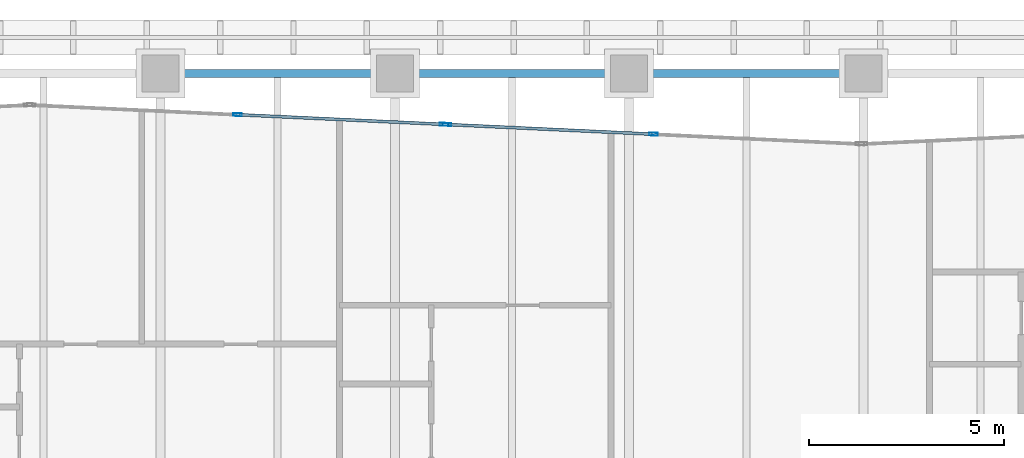
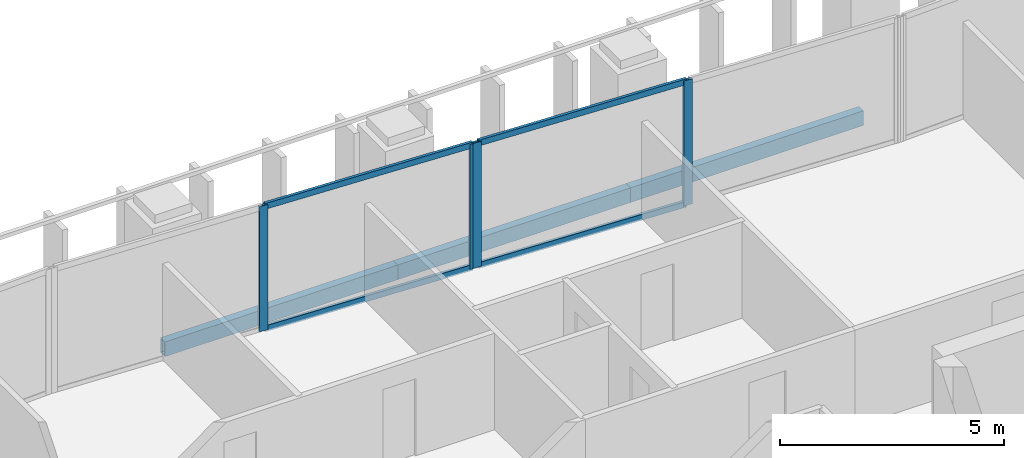
# One storey, part 18 of 39: 8 members, 3 beams, 2 elements without a shape of their own.
"""IFC4 building model written with IfcOpenShell, lengths in metres."""

import ifcopenshell
import ifcopenshell.guid

model = None  # the IFC model being written
_history = None  # IfcOwnerHistory: only IFC2X3 demands one
_inside = {}  # id of a spatial element -> (the spatial element, [elements in it])
_under = {}  # id of a project, library or spatial element -> (it, [spatial elements below it])
_declared = {}  # id of a project -> (the project, [libraries it declares])
_typed = {}  # id of a type object -> (the type object, [elements of that type])
_made_of = {}  # id of a material, layer set ... -> (it, [elements and type objects made of it])


def new_model(schema):
    """Start an empty IFC model of exactly this schema.

    Asked for "IFC4X3", IfcOpenShell would pick the latest addendum, in which some entities
    have other attributes; the version numbers below select the first issue.
    IFC2X3 requires an IfcOwnerHistory on every rooted entity: one is made here for all.
    """
    global model, _history
    if schema == "IFC4X3":
        model = ifcopenshell.file(schema_version=(4, 3, 0, 0))
    else:
        model = ifcopenshell.file(schema=schema)
    _inside.clear()
    _under.clear()
    _declared.clear()
    _typed.clear()
    _made_of.clear()
    _history = None
    if model.schema == "IFC2X3":
        org = make("IfcOrganization", Name="unknown")
        user = make(
            "IfcPersonAndOrganization",
            ThePerson=make("IfcPerson", FamilyName="unknown"),
            TheOrganization=org,
        )
        app = make(
            "IfcApplication",
            ApplicationDeveloper=org,
            Version="unknown",
            ApplicationFullName="unknown",
            ApplicationIdentifier="unknown",
        )
        _history = make(
            "IfcOwnerHistory",
            OwningUser=user,
            OwningApplication=app,
            ChangeAction="ADDED",
            CreationDate=0,
        )
    return model


def make(cls, **values):
    """One entity of the class cls with the attributes given. An attribute that is None is left unset."""
    return model.create_entity(
        cls, **{name: value for name, value in values.items() if value is not None}
    )


def rooted(cls, **values):
    """An entity with a GlobalId (a new one), such as an element, a storey or a relation."""
    return make(cls, GlobalId=ifcopenshell.guid.new(), OwnerHistory=_history, **values)


def si_unit(unit_type, name, prefix=None):
    """IfcSIUnit, for example si_unit("LENGTHUNIT", "METRE", prefix="MILLI")."""
    return make("IfcSIUnit", UnitType=unit_type, Prefix=prefix, Name=name)


def assignment(units):
    """IfcUnitAssignment: the units of a project."""
    return None if units is None else make("IfcUnitAssignment", Units=units)


def point(xyz):
    """IfcCartesianPoint."""
    return None if xyz is None else make("IfcCartesianPoint", Coordinates=xyz)


def direction(xyz):
    """IfcDirection."""
    return None if xyz is None else make("IfcDirection", DirectionRatios=xyz)


def frame(location, z_axis=None, x_axis=None):
    """IfcAxis2Placement3D, a coordinate frame: its origin and axes. An axis left out is left unset."""
    return make(
        "IfcAxis2Placement3D",
        Location=point(location),
        Axis=direction(z_axis),
        RefDirection=direction(x_axis),
    )


def frame_2d(location, x_axis=None):
    """IfcAxis2Placement2D, a coordinate frame in the plane: its origin and x axis."""
    return make(
        "IfcAxis2Placement2D", Location=point(location), RefDirection=direction(x_axis)
    )


def origin():
    """The frame at (0, 0, 0) with its axes left unset."""
    return frame((0.0, 0.0, 0.0))


def origin_2d():
    """The frame at (0, 0) in the plane with its x axis left unset."""
    return frame_2d((0.0, 0.0))


def place(relative_to, where):
    """IfcLocalPlacement: puts the frame where relative to a parent placement (None: the world)."""
    return make(
        "IfcLocalPlacement", PlacementRelTo=relative_to, RelativePlacement=where
    )


def context(
    kind, dimensions, precision=None, world=None, true_north=None, identifier=None
):
    """IfcGeometricRepresentationContext, for example the 3D "Model" context."""
    return make(
        "IfcGeometricRepresentationContext",
        ContextIdentifier=identifier,
        ContextType=kind,
        CoordinateSpaceDimension=dimensions,
        Precision=precision,
        WorldCoordinateSystem=world,
        TrueNorth=true_north,
    )


def subcontext(parent, identifier, kind, view, scale=None):
    """IfcGeometricRepresentationSubContext, for example "Body" below "Model"."""
    return make(
        "IfcGeometricRepresentationSubContext",
        ContextIdentifier=identifier,
        ContextType=kind,
        ParentContext=parent,
        TargetScale=scale,
        TargetView=view,
    )


def project(units=None, contexts=None):
    """IfcProject with its units and contexts."""
    return rooted(
        "IfcProject",
        Name="project",
        RepresentationContexts=contexts,
        UnitsInContext=assignment(units),
    )


def spatial(cls, under=None, at=None, **own):
    """A site, building, storey or space (cls), placed at a placement, below another one or the project."""
    s = rooted(cls, ObjectPlacement=at, **own)
    if under is not None:
        _under.setdefault(under.id(), (under, []))[1].append(s)
    return s


def profile(cls, at=None, kind="AREA", **sizes):
    """A parametric profile (cls). Its sizes go by their IFC names, for example OverallWidth=200.0."""
    return make(cls, ProfileType=kind, Position=at, **sizes)


def hollow_rectangle(**sizes):
    """IfcRectangleHollowProfileDef."""
    return profile("IfcRectangleHollowProfileDef", **sizes)


def extrude(swept, where, along, depth):
    """IfcExtrudedAreaSolid: the profile swept, set in the frame where, extruded along a direction by depth."""
    return make(
        "IfcExtrudedAreaSolid",
        SweptArea=swept,
        Position=where,
        ExtrudedDirection=direction(along),
        Depth=depth,
    )


def shape(context_of_items, identifier, shape_type, items):
    """IfcShapeRepresentation: the items that make up one representation, for example the "Body"."""
    return make(
        "IfcShapeRepresentation",
        ContextOfItems=context_of_items,
        RepresentationIdentifier=identifier,
        RepresentationType=shape_type,
        Items=items,
    )


def material(Name=None, Category=None):
    """IfcMaterial."""
    return make("IfcMaterial", Name=Name, Category=Category)


def layer(
    of_material, thickness, ventilated=None, Name=None, Category=None, Priority=None
):
    """IfcMaterialLayer: one layer of a wall or slab, of a material (None: an air gap)."""
    return make(
        "IfcMaterialLayer",
        Material=of_material,
        LayerThickness=thickness,
        IsVentilated=ventilated,
        Name=Name,
        Category=Category,
        Priority=Priority,
    )


def layer_set(layers, Name=None):
    """IfcMaterialLayerSet."""
    return make("IfcMaterialLayerSet", MaterialLayers=layers, LayerSetName=Name)


def material_profile(
    of_material, cross_section, Name=None, Category=None, Priority=None
):
    """IfcMaterialProfile: a cross section and its material."""
    return make(
        "IfcMaterialProfile",
        Name=Name,
        Material=of_material,
        Profile=cross_section,
        Priority=Priority,
        Category=Category,
    )


def profile_set(profiles, Name=None, composite=None):
    """IfcMaterialProfileSet."""
    return make(
        "IfcMaterialProfileSet",
        Name=Name,
        MaterialProfiles=profiles,
        CompositeProfile=composite,
    )


def made_of(thing, what):
    """Note that an element or type object is made of a material, layer set ...; save() writes the relation."""
    if what is not None:
        _made_of.setdefault(what.id(), (what, []))[1].append(thing)
    return thing


def type_object(cls, material=None, **own):
    """A type object (cls), such as IfcWallType, which elements share."""
    return made_of(rooted(cls, **own), material)


def element(
    cls,
    number,
    at=None,
    inside=None,
    cuts=None,
    type_object=None,
    material=None,
    context=None,
    identifier="Body",
    shape_type=None,
    held_by="IfcProductDefinitionShape",
    body=None,
    shapes=None,
    **own,
):
    """One element of the class cls, such as IfcWall. Its Tag is "e" and its number.

    at: its placement. inside: the storey or other place that contains it. cuts: it is an
    opening in that element (IfcRelVoidsElement). A single representation is given by context,
    identifier, shape_type and body (its items); several are given by shapes. held_by: the class
    of the entity that holds the representations. save() writes the other relations.
    """
    e = rooted(cls, Tag="e%d" % number, ObjectPlacement=at, **own)
    if body is not None:
        shapes = [shape(context, identifier, shape_type, body)]
    if shapes is not None:
        e.Representation = make(held_by, Representations=shapes)
    if inside is not None:
        _inside.setdefault(inside.id(), (inside, []))[1].append(e)
    if cuts is not None:
        rooted(
            "IfcRelVoidsElement", RelatingBuildingElement=cuts, RelatedOpeningElement=e
        )
    if type_object is not None:
        _typed.setdefault(type_object.id(), (type_object, []))[1].append(e)
    return made_of(e, material)


def aggregate(whole, parts):
    """IfcRelAggregates: a whole, such as a stair, and the parts it consists of."""
    return rooted("IfcRelAggregates", RelatingObject=whole, RelatedObjects=parts)


def save(model, path):
    """Write the relations noted so far, then the file.

    IfcRelAggregates (storeys below a building ...), IfcRelContainedInSpatialStructure (elements
    in a storey), IfcRelDefinesByType, IfcRelAssociatesMaterial and IfcRelDeclares: one each for
    every whole, place, type object, material and project.
    """
    for whole, parts in _under.values():
        aggregate(whole, parts)
    for where, things in _inside.values():
        rooted(
            "IfcRelContainedInSpatialStructure",
            RelatedElements=things,
            RelatingStructure=where,
        )
    for kind, things in _typed.values():
        rooted("IfcRelDefinesByType", RelatedObjects=things, RelatingType=kind)
    for what, things in _made_of.values():
        rooted("IfcRelAssociatesMaterial", RelatedObjects=things, RelatingMaterial=what)
    for by, libraries in _declared.values():
        rooted("IfcRelDeclares", RelatingContext=by, RelatedDefinitions=libraries)
    model.write(path)


model = new_model("IFC4")

# Units and contexts
model_context = context("Model", 3, precision=1e-05, world=origin(), true_north=direction((0.0, 1.0)))
body_context = subcontext(model_context, "Body", "Model", "MODEL_VIEW")
ifc_project = project(units=[si_unit("LENGTHUNIT", "METRE"), si_unit("AREAUNIT", "SQUARE_METRE"), si_unit("VOLUMEUNIT", "CUBIC_METRE"), si_unit("PLANEANGLEUNIT", "RADIAN"), si_unit("MASSUNIT", "GRAM", prefix="KILO")], contexts=[model_context])

# Site, building, storey
site_placement = place(None, origin())
site = spatial("IfcSite", under=ifc_project, at=site_placement, CompositionType="ELEMENT")
building_placement = place(site_placement, origin())
building = spatial("IfcBuilding", under=site, at=building_placement, Name="Tanjung Sevakor Pilgrim Tower", CompositionType="ELEMENT")
storey_placement = place(building_placement, frame((0.0, 0.0, 112.199951171875)))
storey = spatial("IfcBuildingStorey", under=building, at=storey_placement, Name="L31", CompositionType="ELEMENT", Elevation=112.199951171875)

# Beams
ifc_material_1 = material(Name="Steel S355J2", Category="steel")
ifc_material_profile_1 = material_profile(ifc_material_1, hollow_rectangle(XDim=0.199951171875, YDim=0.39990234375, WallThickness=0.01611328125, at=origin_2d()))
ifc_profile_set_1 = profile_set([ifc_material_profile_1], Name="Steel S355J2")
beam_type = type_object("IfcBeamType", Name="BM-B-SP2-RHS_400x200x16", PredefinedType="SPANDREL", material=ifc_profile_set_1)
for number, where, z_axis, x_axis, name in (
    (1, (66.0, 56.39990234375, -0.419921875), (1.0, 0.0, 0.0), (0.0, 1.0, 0.0), "L31 Spandrel MAIN N-12"),
    (2, (72.0, 56.39990234375, -0.419921875), (1.0, 0.0, 0.0), (0.0, 1.0, 0.0), "L31 Spandrel MAIN N-14"),
    (3, (78.0, 56.39990234375, -0.419921875), (1.0, 0.0, 0.0), (0.0, 1.0, 0.0), "L31 Spandrel MAIN N-16"),
):
    element("IfcBeam", number, at=place(storey_placement, frame(where, z_axis=z_axis, x_axis=x_axis)), inside=storey, type_object=beam_type, Name=name, PredefinedType="SPANDREL", context=body_context, shape_type="SweptSolid", body=[
        extrude(hollow_rectangle(XDim=0.199951171875, YDim=0.39990234375, WallThickness=0.01611328125, at=origin_2d()), origin(), (0.0, 0.0, 1.0), 6.0),
    ])

# Curtain wall, members
ifc_material_2 = material(Name="Aluminium 6063-T6 and Low-E Glass", Category="aluminium")
ifc_layer = layer(ifc_material_2, 0.199951171875)
ifc_layer_set = layer_set([ifc_layer], Name="CW-SYS-PRAY")
curtain_wall_type = type_object("IfcCurtainWallType", Name="CW-SYS-PRAY", PredefinedType="NOTDEFINED", material=ifc_layer_set)
curtain_wall_1_placement = place(storey_placement, origin())
curtain_wall_1 = element("IfcCurtainWall", 4, at=curtain_wall_1_placement, inside=storey, type_object=curtain_wall_type, Name="L31 Curtain Wall CW-PRY-L31-21", PredefinedType="NOTDEFINED")
ifc_material_3 = material(Name="Aluminium 6063-T6", Category="aluminium")
ifc_material_profile_2 = material_profile(ifc_material_3, hollow_rectangle(XDim=0.074951171875, YDim=0.219970703125, WallThickness=0.0048828125, at=origin_2d()))
ifc_profile_set_2 = profile_set([ifc_material_profile_2], Name="Aluminium 6063-T6")
member_type_1 = type_object("IfcMemberType", Name="TYPE-CWM-2", PredefinedType="MULLION", material=ifc_profile_set_2)
member_1_placement = place(storey_placement, frame((78.6220703125, 54.844970703125, 0.0), z_axis=(0.0, 0.0, 1.0), x_axis=(-0.046889499825, -0.998900082494, 0.0)))
member_1 = element("IfcMember", 5, at=member_1_placement, type_object=member_type_1, Name="CW-PRY mullion 2", PredefinedType="MULLION", context=body_context, shape_type="SweptSolid", body=[
    extrude(hollow_rectangle(XDim=0.074951171875, YDim=0.219970703125, WallThickness=0.0048828125, at=origin_2d()), origin(), (0.0, 0.0, 1.0), 3.41015625),
])
member_2_placement = place(storey_placement, frame((73.33154296875, 55.09326171875, 0.0), z_axis=(0.0, 0.0, 1.0), x_axis=(-0.046889499825, -0.998900082494, 0.0)))
member_2 = element("IfcMember", 6, at=member_2_placement, type_object=member_type_1, Name="CW-PRY mullion 3", PredefinedType="MULLION", context=body_context, shape_type="SweptSolid", body=[
    extrude(hollow_rectangle(XDim=0.074951171875, YDim=0.219970703125, WallThickness=0.0048828125, at=origin_2d()), origin(), (0.0, 0.0, 1.0), 3.41015625),
])

curtain_wall_2_placement = place(storey_placement, origin())
curtain_wall_2 = element("IfcCurtainWall", 7, at=curtain_wall_2_placement, inside=storey, type_object=curtain_wall_type, Name="L31 Curtain Wall CW-PRY-L31-22", PredefinedType="NOTDEFINED")
member_3_placement = place(storey_placement, frame((73.256591796875, 55.096923828125, 0.0), z_axis=(0.0, 0.0, 1.0), x_axis=(-0.046903911367, -0.998899405896, 0.0)))
member_3 = element("IfcMember", 8, at=member_3_placement, type_object=member_type_1, Name="CW-PRY mullion 1", PredefinedType="MULLION", context=body_context, shape_type="SweptSolid", body=[
    extrude(hollow_rectangle(XDim=0.074951171875, YDim=0.219970703125, WallThickness=0.0048828125, at=origin_2d()), origin(), (0.0, 0.0, 1.0), 3.41015625),
])
member_4_placement = place(storey_placement, frame((67.97216796875, 55.344970703125, 0.0), z_axis=(0.0, 0.0, 1.0), x_axis=(-0.046903911367, -0.998899405896, 0.0)))
member_4 = element("IfcMember", 9, at=member_4_placement, type_object=member_type_1, Name="CW-PRY mullion 2", PredefinedType="MULLION", context=body_context, shape_type="SweptSolid", body=[
    extrude(hollow_rectangle(XDim=0.074951171875, YDim=0.219970703125, WallThickness=0.0048828125, at=origin_2d()), origin(), (0.0, 0.0, 1.0), 3.41015625),
])

# Member
ifc_material_4 = material(Name="Aluminium 6063-T6", Category="aluminium")
ifc_material_profile_3 = material_profile(ifc_material_4, hollow_rectangle(XDim=0.074951171875, YDim=0.159912109375, WallThickness=0.00439453125, at=origin_2d()))
ifc_profile_set_3 = profile_set([ifc_material_profile_3], Name="Aluminium 6063-T6")
member_type_2 = type_object("IfcMemberType", Name="TYPE-CWT-2", PredefinedType="USERDEFINED", material=ifc_profile_set_3)
member_5_placement = place(storey_placement, frame((78.58447265625, 54.8466796875, 0.03759765625), z_axis=(-0.998899651853, 0.046898672977, 0.0), x_axis=(-0.046898672977, -0.998899651853, 0.0)))
member_5 = element("IfcMember", 10, at=member_5_placement, type_object=member_type_2, Name="CW-PRY transom 2.1", ObjectType="TRANSOM", PredefinedType="USERDEFINED", context=body_context, shape_type="SweptSolid", body=[
    extrude(hollow_rectangle(XDim=0.074951171875, YDim=0.159912109375, WallThickness=0.00439453125, at=origin_2d()), origin(), (0.0, 0.0, 1.0), 5.221435546875),
])

member_6_placement = place(storey_placement, frame((78.58447265625, 54.8466796875, 3.37255859375), z_axis=(-0.998899651853, 0.046898672977, 0.0), x_axis=(-0.046898672977, -0.998899651853, 0.0)))
member_6 = element("IfcMember", 11, at=member_6_placement, type_object=member_type_2, Name="CW-PRY transom 2.2", ObjectType="TRANSOM", PredefinedType="USERDEFINED", context=body_context, shape_type="SweptSolid", body=[
    extrude(hollow_rectangle(XDim=0.074951171875, YDim=0.159912109375, WallThickness=0.00439453125, at=origin_2d()), origin(), (0.0, 0.0, 1.0), 5.221435546875),
])

aggregate(curtain_wall_1, [member_1, member_2, member_5, member_6])

member_7_placement = place(storey_placement, frame((73.21923828125, 55.0986328125, 0.03759765625), z_axis=(-0.998899373751, 0.046904595928, 0.0), x_axis=(-0.046904595928, -0.998899373751, 0.0)))
member_7 = element("IfcMember", 12, at=member_7_placement, type_object=member_type_2, Name="CW-PRY transom 1.1", ObjectType="TRANSOM", PredefinedType="USERDEFINED", context=body_context, shape_type="SweptSolid", body=[
    extrude(hollow_rectangle(XDim=0.074951171875, YDim=0.159912109375, WallThickness=0.00439453125, at=origin_2d()), origin(), (0.0, 0.0, 1.0), 5.215576171875),
])

member_8_placement = place(storey_placement, frame((73.21923828125, 55.0986328125, 3.37255859375), z_axis=(-0.998899373751, 0.046904595928, 0.0), x_axis=(-0.046904595928, -0.998899373751, 0.0)))
member_8 = element("IfcMember", 13, at=member_8_placement, type_object=member_type_2, Name="CW-PRY transom 1.2", ObjectType="TRANSOM", PredefinedType="USERDEFINED", context=body_context, shape_type="SweptSolid", body=[
    extrude(hollow_rectangle(XDim=0.074951171875, YDim=0.159912109375, WallThickness=0.00439453125, at=origin_2d()), origin(), (0.0, 0.0, 1.0), 5.215576171875),
])

aggregate(curtain_wall_2, [member_3, member_4, member_7, member_8])

save(model, "model.ifc")
